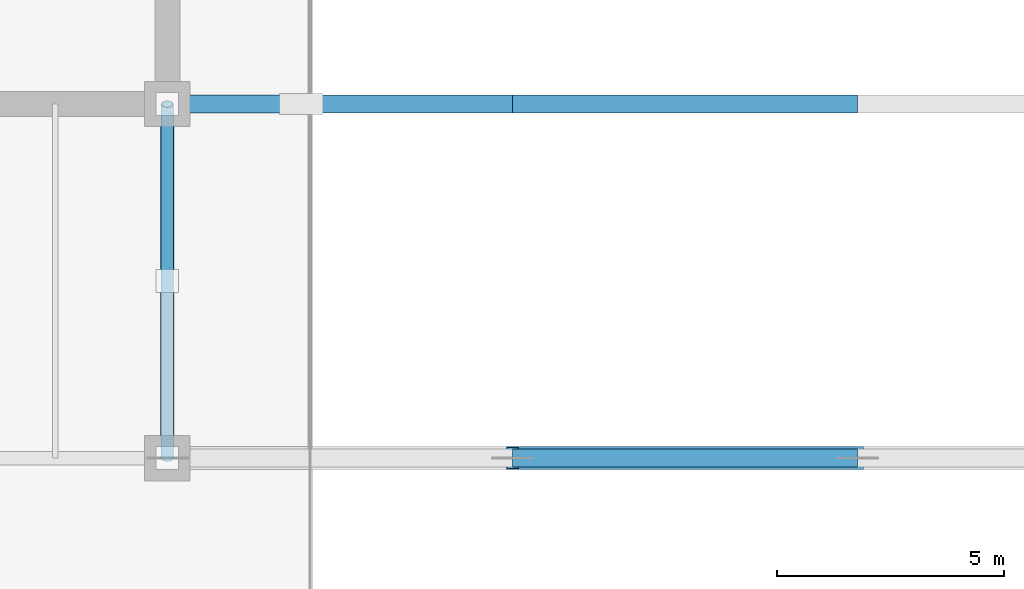
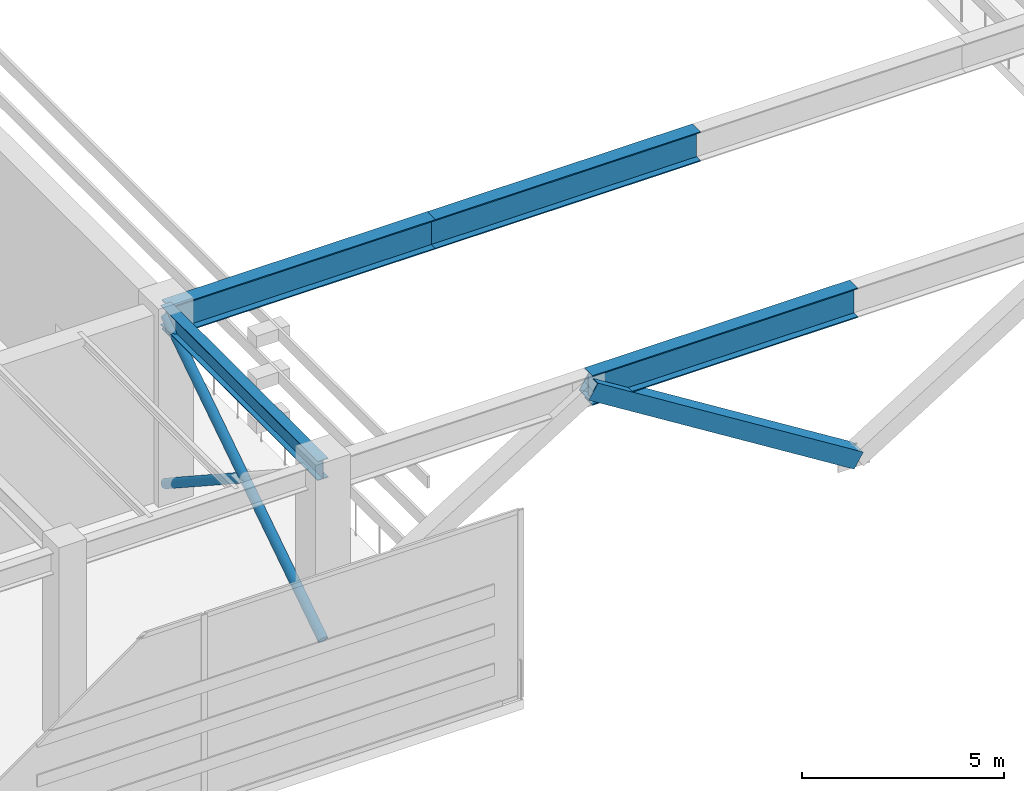
# One storey, part 5 of 30: 4 beams, 3 members.
"""IFC4 building model written with IfcOpenShell, lengths in metres."""

from ifc_helpers import new_model, si_unit, direction, frame, origin, origin_2d, place, context, subcontext, project, spatial, hollow_rectangle, hollow_circle, i_section, extrude, source, transform, mapped, material, material_profile, profile_set, type_object, type_shapes, element, save


model = new_model("IFC4")

# Units and contexts
model_context = context("Model", 3, precision=1e-05, world=origin(), true_north=direction((0.0, 1.0)))
body_context = subcontext(model_context, "Body", "Model", "MODEL_VIEW")
ifc_project = project(units=[si_unit("LENGTHUNIT", "METRE"), si_unit("AREAUNIT", "SQUARE_METRE"), si_unit("VOLUMEUNIT", "CUBIC_METRE"), si_unit("PLANEANGLEUNIT", "RADIAN"), si_unit("MASSUNIT", "GRAM", prefix="KILO")], contexts=[model_context])

# Site, building, storey
site_placement = place(None, origin())
site = spatial("IfcSite", under=ifc_project, at=site_placement, CompositionType="ELEMENT")
building_placement = place(site_placement, origin())
building = spatial("IfcBuilding", under=site, at=building_placement, Name="Haelvirn Gate Laboratories", CompositionType="ELEMENT")
storey_placement = place(building_placement, frame((0.0, 0.0, 291.60009765625)))
storey = spatial("IfcBuildingStorey", under=building, at=storey_placement, Name="L70", CompositionType="ELEMENT", Elevation=291.60009765625)

# Beams
ifc_material_1 = material(Name="Steel SM420", Category="steel")
ifc_material_profile_1 = material_profile(ifc_material_1, i_section(OverallWidth=0.39990234375, OverallDepth=0.89990234375, WebThickness=0.01904296875, FlangeThickness=0.031982421875, at=origin_2d()), Name="H-900x400x19x32")
ifc_profile_set_1 = profile_set([ifc_material_profile_1], Name="Steel SM420")
beam_type_1 = type_object("IfcBeamType", Name="BM-TG-900", PredefinedType="BEAM", material=ifc_profile_set_1)
shared_shape_1 = source(origin(), body_context, "Body", "SweptSolid", [
    extrude(i_section(OverallWidth=0.39990234375, OverallDepth=0.89990234375, WebThickness=0.01904296875, FlangeThickness=0.031982421875, at=origin_2d()), origin(), (0.0, 0.0, 1.0), 7.60009765625),
])
beam_1_placement = place(storey_placement, frame((22.199951171875, 14.800048828125, 5.25), z_axis=(1.0, 0.0, 0.0), x_axis=(0.0, 1.0, 0.0)))
element("IfcBeam", 1, at=beam_1_placement, inside=storey, type_object=beam_type_1, Name="L71 Arch Bridge Bottom Tie Chord Y14.8-1", PredefinedType="BEAM", context=body_context, shape_type="MappedRepresentation", body=[
    mapped(shared_shape_1, transform((0.0, 0.0, 0.0), scale=1.0)),
])
shared_shape_2 = source(origin(), body_context, "Body", "SweptSolid", [
    extrude(i_section(OverallWidth=0.39990234375, OverallDepth=0.89990234375, WebThickness=0.01904296875, FlangeThickness=0.031982421875, at=origin_2d()), origin(), (0.0, 0.0, 1.0), 7.599853515625),
])
type_shapes(beam_type_1, [shared_shape_1, shared_shape_2])
for number, where, z_axis, x_axis, name in (
    (2, (29.800048828125, 7.0, 5.25), (1.0, 0.0, 0.0), (0.0, 1.0, 0.0), "L71 Arch Bridge Bottom Tie Chord Y7.0-2"),
    (3, (29.800048828125, 14.800048828125, 5.25), (1.0, 0.0, 0.0), (0.0, 1.0, 0.0), "L71 Arch Bridge Bottom Tie Chord Y14.8-2"),
):
    element("IfcBeam", number, at=place(storey_placement, frame(where, z_axis=z_axis, x_axis=x_axis)), inside=storey, type_object=beam_type_1, Name=name, PredefinedType="BEAM", context=body_context, shape_type="MappedRepresentation", body=[
        mapped(shared_shape_2, transform((0.0, 0.0, 0.0), scale=1.0)),
    ])
ifc_material_2 = material(Name="Steel SM355", Category="steel")
ifc_material_profile_2 = material_profile(ifc_material_2, i_section(OverallWidth=0.300048828125, OverallDepth=0.587890625, WebThickness=0.011962890625, FlangeThickness=0.02001953125, at=origin_2d()), Name="H-588x300x12x20")
ifc_profile_set_2 = profile_set([ifc_material_profile_2], Name="Steel SM355")
beam_type_2 = type_object("IfcBeamType", Name="BM-G-588", PredefinedType="BEAM", material=ifc_profile_set_2)
shared_shape_3 = source(origin(), body_context, "Body", "SweptSolid", [
    extrude(i_section(OverallWidth=0.300048828125, OverallDepth=0.587890625, WebThickness=0.011962890625, FlangeThickness=0.02001953125, at=origin_2d()), origin(), (0.0, 0.0, 1.0), 7.800048828125),
])
type_shapes(beam_type_2, [shared_shape_3])
beam_2_placement = place(storey_placement, frame((22.199951171875, 7.0, 5.406005859375), z_axis=(0.0, 1.0, 0.0), x_axis=(-1.0, 0.0, 0.0)))
element("IfcBeam", 4, at=beam_2_placement, inside=storey, type_object=beam_type_2, Name="L70 Frame Girder X22.2 (7.0-14.8)", PredefinedType="BEAM", context=body_context, shape_type="MappedRepresentation", body=[
    mapped(shared_shape_3, transform((0.0, 0.0, 0.0), scale=1.0)),
])

# Members
ifc_material_profile_3 = material_profile(ifc_material_2, hollow_circle(Radius=0.136474609375, WallThickness=0.011962890625, at=origin_2d()), Name="CHS-273x12")
ifc_profile_set_3 = profile_set([ifc_material_profile_3], Name="Steel SM355")
member_type_1 = type_object("IfcMemberType", Name="MEM-TURB-BRACE", PredefinedType="STRUT", material=ifc_profile_set_3)
shared_shape_4 = source(origin(), body_context, "Body", "SweptSolid", [
    extrude(hollow_circle(Radius=0.136474609375, WallThickness=0.011962890625, at=origin_2d()), origin(), (0.0, 0.0, 1.0), 9.3193359375),
])
member_1_placement = place(storey_placement, frame((22.199951171875, 7.0, 0.25), z_axis=(0.0, 0.836978382505, 0.547235952053), x_axis=(-1.0, 0.0, 0.0)))
element("IfcMember", 5, at=member_1_placement, inside=storey, type_object=member_type_1, Name="L70 Wind-Turbine Portal Primary Brace W-S", PredefinedType="STRUT", context=body_context, shape_type="MappedRepresentation", body=[
    mapped(shared_shape_4, transform((0.0, 0.0, 0.0), scale=1.0)),
])
shared_shape_5 = source(origin(), body_context, "Body", "SweptSolid", [
    extrude(hollow_circle(Radius=0.136474609375, WallThickness=0.011962890625, at=origin_2d()), origin(), (0.0, 0.0, 1.0), 4.65966796875),
])
type_shapes(member_type_1, [shared_shape_4, shared_shape_5])
member_2_placement = place(storey_placement, frame((22.199951171875, 10.89990234375, 2.7998046875), z_axis=(0.0, 0.836998226065, -0.547205600815), x_axis=(-1.0, 0.0, 0.0)))
element("IfcMember", 6, at=member_2_placement, inside=storey, type_object=member_type_1, Name="L70 Wind-Turbine Portal Split X-Brace W-S Upper", PredefinedType="STRUT", context=body_context, shape_type="MappedRepresentation", body=[
    mapped(shared_shape_5, transform((0.0, 0.0, 0.0), scale=1.0)),
])
ifc_material_profile_4 = material_profile(ifc_material_1, hollow_rectangle(XDim=0.5, YDim=0.5, WallThickness=0.02197265625, at=origin_2d()), Name="BOX-500x500x22")
ifc_profile_set_4 = profile_set([ifc_material_profile_4], Name="Steel SM420")
member_type_2 = type_object("IfcMemberType", Name="MEM-ARCH-WEB", PredefinedType="BRACE", material=ifc_profile_set_4)
shared_shape_6 = source(origin(), body_context, "Body", "SweptSolid", [
    extrude(hollow_rectangle(XDim=0.5, YDim=0.5, WallThickness=0.02197265625, at=origin_2d()), origin(), (0.0, 0.0, 1.0), 8.962158203125),
])
type_shapes(member_type_2, [shared_shape_6])
member_3_placement = place(storey_placement, frame((29.800048828125, 7.0, 5.25), z_axis=(0.847993712747, 0.0, -0.530006285946), x_axis=(0.0, 1.0, 0.0)))
element("IfcMember", 7, at=member_3_placement, inside=storey, type_object=member_type_2, Name="L70 Arch Bridge Sub-Truss Web Y7.0-2", PredefinedType="BRACE", context=body_context, shape_type="MappedRepresentation", body=[
    mapped(shared_shape_6, transform((0.0, 0.0, 0.0), scale=1.0)),
])

save(model, "model.ifc")
